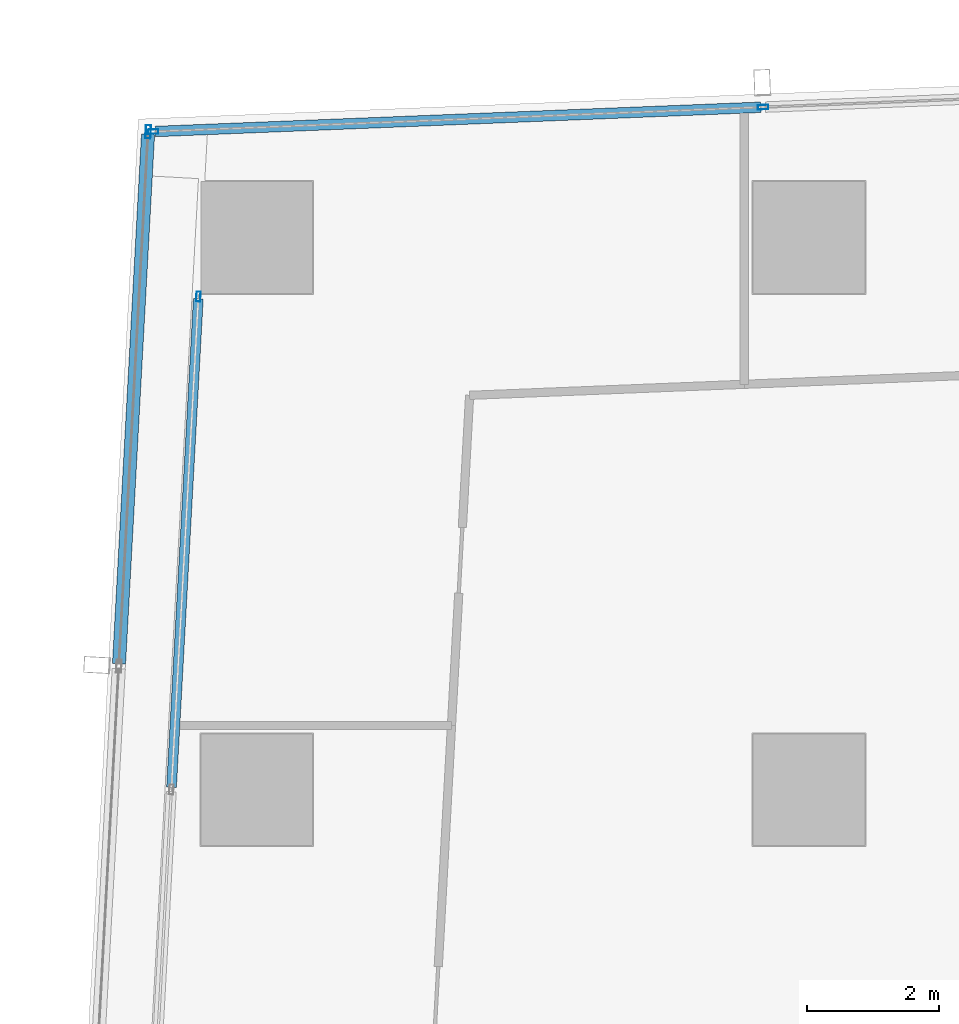
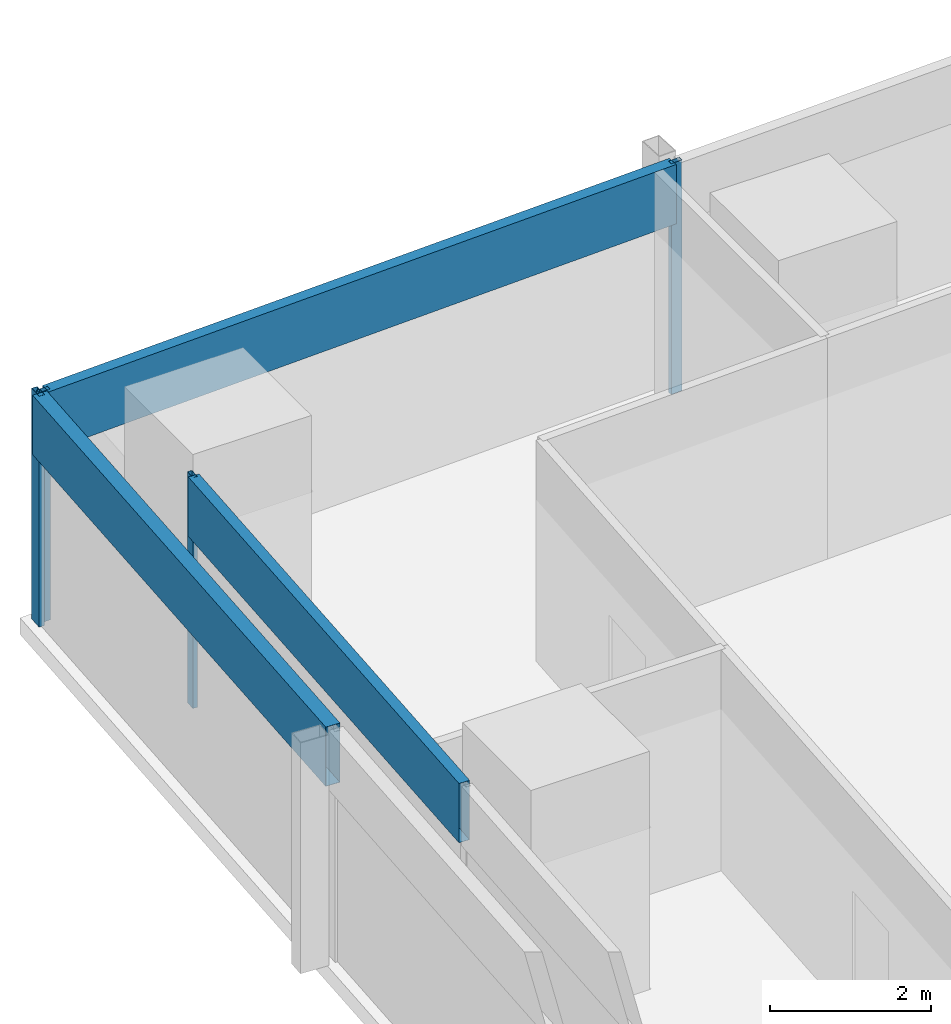
# One storey, part 15 of 40: 7 members, 3 elements without a shape of their own.
"""IFC4 building model written with IfcOpenShell, lengths in metres."""

from ifc_helpers import new_model, si_unit, direction, frame, origin, origin_2d, place, context, subcontext, project, spatial, hollow_rectangle, extrude, material, material_profile, profile_set, type_object, element, aggregate, save


model = new_model("IFC4")

# Units and contexts
model_context = context("Model", 3, precision=1e-05, world=origin(), true_north=direction((0.0, 1.0)))
body_context = subcontext(model_context, "Body", "Model", "MODEL_VIEW")
ifc_project = project(units=[si_unit("LENGTHUNIT", "METRE"), si_unit("AREAUNIT", "SQUARE_METRE"), si_unit("VOLUMEUNIT", "CUBIC_METRE"), si_unit("PLANEANGLEUNIT", "RADIAN"), si_unit("MASSUNIT", "GRAM", prefix="KILO")], contexts=[model_context])

# Site, building, storey
site_placement = place(None, origin())
site = spatial("IfcSite", under=ifc_project, at=site_placement, CompositionType="ELEMENT")
building_placement = place(site_placement, origin())
building = spatial("IfcBuilding", under=site, at=building_placement, Name="Rekha Terrace Tower", CompositionType="ELEMENT")
storey_placement = place(building_placement, frame((0.0, 0.0, 129.050048828125)))
storey = spatial("IfcBuildingStorey", under=building, at=storey_placement, Name="L32", CompositionType="ELEMENT", Elevation=129.050048828125)

# Curtain wall, members
ifc_material_1 = material(Name="Aluminium framing", Category="aluminium")
curtain_wall_type_1 = type_object("IfcCurtainWallType", Name="CW1 double skin inner glazing", PredefinedType="USERDEFINED", material=ifc_material_1)
curtain_wall_1_placement = place(storey_placement, origin())
curtain_wall_1 = element("IfcCurtainWall", 1, at=curtain_wall_1_placement, inside=storey, type_object=curtain_wall_type_1, Name="CW1 double skin inner glazing", ObjectType="DOUBLE SKIN INNER GLAZING", PredefinedType="USERDEFINED")
ifc_material_2 = material(Name="Aluminium mullion section", Category="aluminium")
ifc_material_profile_1 = material_profile(ifc_material_2, hollow_rectangle(XDim=0.06494140625, YDim=0.14990234375, WallThickness=0.00390625, at=origin_2d()), Name="AL RHS 65x150")
ifc_profile_set_1 = profile_set([ifc_material_profile_1], Name="Aluminium mullion section")
member_type_1 = type_object("IfcMemberType", Name="CW1 mullion RHS 65 x 150", PredefinedType="MULLION", material=ifc_profile_set_1)
member_1_placement = place(storey_placement, frame((7.513427734375, 57.8994140625, 0.0), z_axis=(0.0, 0.0, 1.0), x_axis=(0.99850051318, -0.054742352707, 0.0)))
member_1 = element("IfcMember", 2, at=member_1_placement, type_object=member_type_1, Name="CW1 mullion 1", PredefinedType="MULLION", context=body_context, shape_type="SweptSolid", body=[
    extrude(hollow_rectangle(XDim=0.06494140625, YDim=0.14990234375, WallThickness=0.00390625, at=origin_2d()), origin(), (0.0, 0.0, 1.0), 3.5),
])
ifc_material_3 = material(Name="Insulated aluminium spandrel box", Category="aluminium")
ifc_material_profile_2 = material_profile(ifc_material_3, hollow_rectangle(XDim=0.14990234375, YDim=0.89990234375, WallThickness=0.0029296875, at=origin_2d()), Name="AL SPANDREL BOX 150x900")
ifc_profile_set_2 = profile_set([ifc_material_profile_2], Name="Insulated aluminium spandrel box")
member_type_2 = type_object("IfcMemberType", Name="CW1 spandrel transom 150 x 900", PredefinedType="USERDEFINED", material=ifc_profile_set_2)
member_2_placement = place(storey_placement, frame((7.51171875, 57.866943359375, 3.050048828125), z_axis=(-0.054743356699, -0.998500458136, 0.0), x_axis=(0.998500458136, -0.054743356699, 0.0)))
member_2 = element("IfcMember", 3, at=member_2_placement, type_object=member_type_2, Name="CW1 spandrel transom 1", ObjectType="TRANSOM", PredefinedType="USERDEFINED", context=body_context, shape_type="SweptSolid", body=[
    extrude(hollow_rectangle(XDim=0.14990234375, YDim=0.89990234375, WallThickness=0.0029296875, at=origin_2d()), origin(), (0.0, 0.0, 1.0), 7.443359375),
])
aggregate(curtain_wall_1, [member_1, member_2])

curtain_wall_type_2 = type_object("IfcCurtainWallType", Name="CW2 double skin outer glazing", PredefinedType="USERDEFINED", material=ifc_material_1)
curtain_wall_2_placement = place(storey_placement, origin())
curtain_wall_2 = element("IfcCurtainWall", 4, at=curtain_wall_2_placement, inside=storey, type_object=curtain_wall_type_2, Name="CW2 double skin outer glazing", ObjectType="DOUBLE SKIN OUTER GLAZING", PredefinedType="USERDEFINED")
ifc_material_profile_3 = material_profile(ifc_material_2, hollow_rectangle(XDim=0.080078125, YDim=0.199951171875, WallThickness=0.00390625, at=origin_2d()), Name="AL RHS 80x200")
ifc_profile_set_3 = profile_set([ifc_material_profile_3], Name="Aluminium mullion section")
member_type_3 = type_object("IfcMemberType", Name="CW2 mullion RHS 80 x 200", PredefinedType="MULLION", material=ifc_profile_set_3)
member_3_placement = place(storey_placement, frame((6.74951171875, 60.406005859375, 0.0), z_axis=(0.0, 0.0, 1.0), x_axis=(0.99850051318, -0.054742352707, 0.0)))
member_3 = element("IfcMember", 5, at=member_3_placement, type_object=member_type_3, Name="CW2 mullion 1", PredefinedType="MULLION", context=body_context, shape_type="SweptSolid", body=[
    extrude(hollow_rectangle(XDim=0.080078125, YDim=0.199951171875, WallThickness=0.00390625, at=origin_2d()), origin(), (0.0, 0.0, 1.0), 3.5),
])
ifc_material_profile_4 = material_profile(ifc_material_3, hollow_rectangle(XDim=0.199951171875, YDim=0.89990234375, WallThickness=0.0029296875, at=origin_2d()), Name="AL SPANDREL BOX 200x900")
ifc_profile_set_4 = profile_set([ifc_material_profile_4], Name="Insulated aluminium spandrel box")
member_type_4 = type_object("IfcMemberType", Name="CW2 spandrel transom 200 x 900", PredefinedType="USERDEFINED", material=ifc_profile_set_4)
member_4_placement = place(storey_placement, frame((6.747314453125, 60.365966796875, 3.050048828125), z_axis=(-0.054735200093, -0.998500905293, 0.0), x_axis=(0.998500905293, -0.054735200093, 0.0)))
member_4 = element("IfcMember", 6, at=member_4_placement, type_object=member_type_4, Name="CW2 spandrel transom 1", ObjectType="TRANSOM", PredefinedType="USERDEFINED", context=body_context, shape_type="SweptSolid", body=[
    extrude(hollow_rectangle(XDim=0.199951171875, YDim=0.89990234375, WallThickness=0.0029296875, at=origin_2d()), origin(), (0.0, 0.0, 1.0), 8.059814453125),
])
aggregate(curtain_wall_2, [member_3, member_4])

curtain_wall_type_3 = type_object("IfcCurtainWallType", Name="CW3 north unitised glazing", PredefinedType="USERDEFINED", material=ifc_material_1)
curtain_wall_3_placement = place(storey_placement, origin())
curtain_wall_3 = element("IfcCurtainWall", 7, at=curtain_wall_3_placement, inside=storey, type_object=curtain_wall_type_3, Name="CW3 unitised curtain wall", ObjectType="UNITISED CURTAIN WALL", PredefinedType="USERDEFINED")
ifc_material_profile_5 = material_profile(ifc_material_2, hollow_rectangle(XDim=0.070068359375, YDim=0.159912109375, WallThickness=0.00390625, at=origin_2d()), Name="AL RHS 70x160")
ifc_profile_set_5 = profile_set([ifc_material_profile_5], Name="Aluminium mullion section")
member_type_5 = type_object("IfcMemberType", Name="CW3 mullion RHS 70 x 160", PredefinedType="MULLION", material=ifc_profile_set_5)
member_5_placement = place(storey_placement, frame((16.101806640625, 60.780517578125, 0.0), z_axis=(0.0, 0.0, 1.0), x_axis=(0.040031987119, -0.999198398721, 0.0)))
member_5 = element("IfcMember", 8, at=member_5_placement, type_object=member_type_5, Name="CW3 mullion 4", PredefinedType="MULLION", context=body_context, shape_type="SweptSolid", body=[
    extrude(hollow_rectangle(XDim=0.070068359375, YDim=0.159912109375, WallThickness=0.00390625, at=origin_2d()), origin(), (0.0, 0.0, 1.0), 3.5),
])
member_6_placement = place(storey_placement, frame((6.82470703125, 60.408935546875, 0.0), z_axis=(0.0, 0.0, 1.0), x_axis=(0.040031987119, -0.999198398721, 0.0)))
member_6 = element("IfcMember", 9, at=member_6_placement, type_object=member_type_5, Name="CW3 mullion 5", PredefinedType="MULLION", context=body_context, shape_type="SweptSolid", body=[
    extrude(hollow_rectangle(XDim=0.070068359375, YDim=0.159912109375, WallThickness=0.00390625, at=origin_2d()), origin(), (0.0, 0.0, 1.0), 3.5),
])
ifc_material_profile_6 = material_profile(ifc_material_3, hollow_rectangle(XDim=0.159912109375, YDim=0.89990234375, WallThickness=0.0029296875, at=origin_2d()), Name="AL SPANDREL BOX 160x900")
ifc_profile_set_6 = profile_set([ifc_material_profile_6], Name="Insulated aluminium spandrel box")
member_type_6 = type_object("IfcMemberType", Name="CW3 spandrel transom 160 x 900", PredefinedType="USERDEFINED", material=ifc_profile_set_6)
member_7_placement = place(storey_placement, frame((16.06689453125, 60.779052734375, 3.050048828125), z_axis=(-0.999198332483, -0.040033640399, 0.0), x_axis=(0.040033640399, -0.999198332483, 0.0)))
member_7 = element("IfcMember", 10, at=member_7_placement, type_object=member_type_6, Name="CW3 spandrel transom 4", ObjectType="TRANSOM", PredefinedType="USERDEFINED", context=body_context, shape_type="SweptSolid", body=[
    extrude(hollow_rectangle(XDim=0.159912109375, YDim=0.89990234375, WallThickness=0.0029296875, at=origin_2d()), origin(), (0.0, 0.0, 1.0), 9.214599609375),
])
aggregate(curtain_wall_3, [member_5, member_6, member_7])

save(model, "model.ifc")
